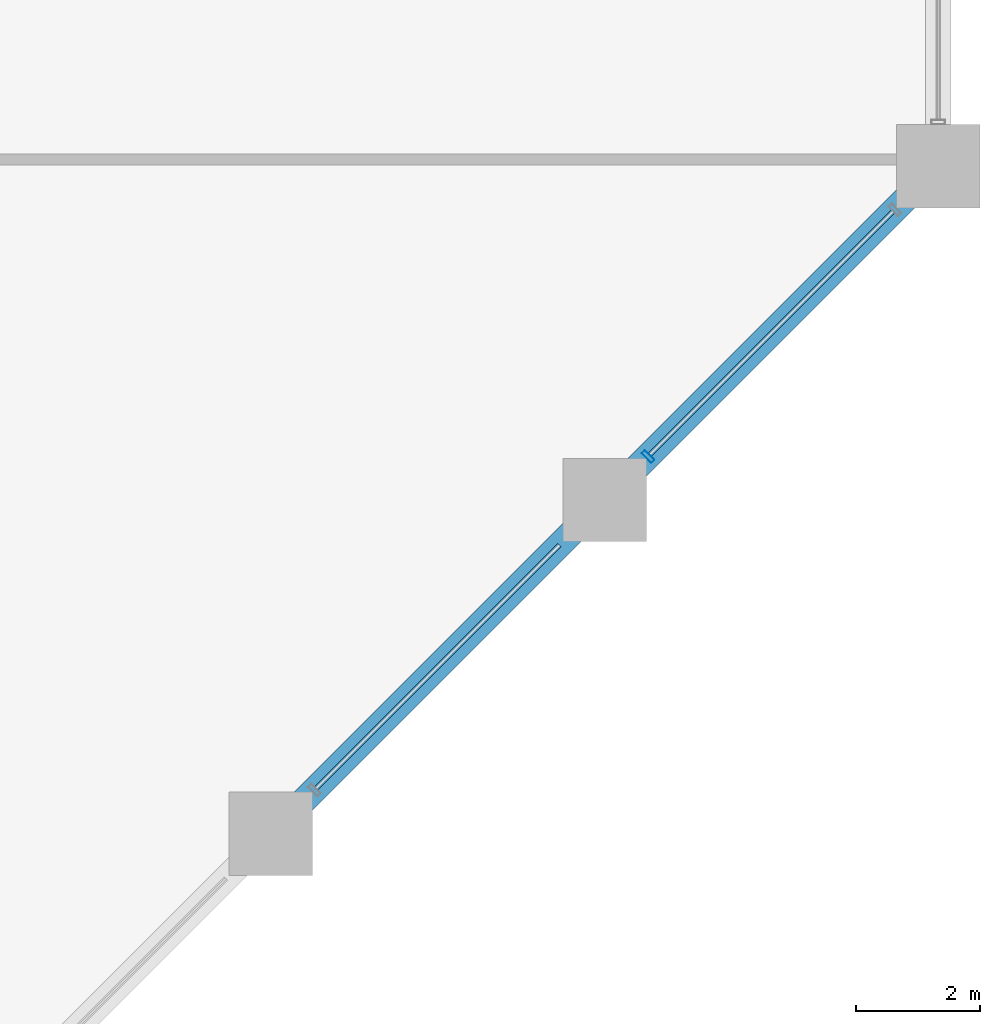
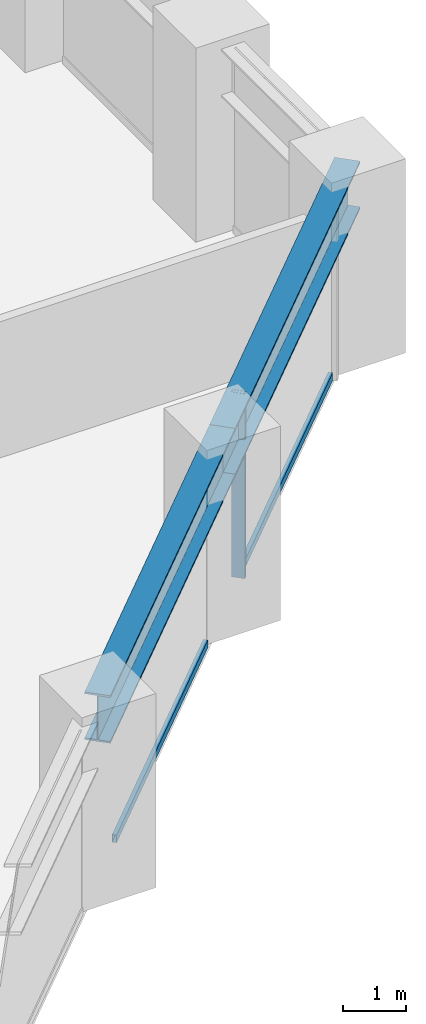
# One storey, part 9 of 25: 3 members, 2 beams, 1 element without a shape of its own.
"""IFC4 building model written with IfcOpenShell, lengths in metres."""

from ifc_helpers import new_model, si_unit, direction, frame, origin, origin_2d, place, context, subcontext, project, spatial, hollow_rectangle, i_section, extrude, material, layer, layer_set, material_profile, profile_set, type_object, element, aggregate, save


model = new_model("IFC4")

# Units and contexts
model_context = context("Model", 3, precision=1e-05, world=origin(), true_north=direction((0.0, 1.0)))
body_context = subcontext(model_context, "Body", "Model", "MODEL_VIEW")
ifc_project = project(units=[si_unit("LENGTHUNIT", "METRE"), si_unit("AREAUNIT", "SQUARE_METRE"), si_unit("VOLUMEUNIT", "CUBIC_METRE"), si_unit("PLANEANGLEUNIT", "RADIAN"), si_unit("MASSUNIT", "GRAM", prefix="KILO")], contexts=[model_context])

# Site, building, storey
site_placement = place(None, origin())
site = spatial("IfcSite", under=ifc_project, at=site_placement, CompositionType="ELEMENT")
building_placement = place(site_placement, origin())
building = spatial("IfcBuilding", under=site, at=building_placement, Name="Surkhivell Harbour Commons", CompositionType="ELEMENT")
storey_placement = place(building_placement, frame((0.0, 0.0, 52.5)))
storey = spatial("IfcBuildingStorey", under=building, at=storey_placement, Name="L13", CompositionType="ELEMENT", Elevation=52.5)

# Beams
ifc_material_1 = material(Name="Steel S460", Category="steel")
ifc_material_profile_1 = material_profile(ifc_material_1, i_section(OverallWidth=0.419921875, OverallDepth=0.9208984375, WebThickness=0.021484375, FlangeThickness=0.03662109375, at=origin_2d()), Name="UB914x419x388")
ifc_profile_set_1 = profile_set([ifc_material_profile_1], Name="Steel S460")
beam_type = type_object("IfcBeamType", Name="BM-SPN-914A", PredefinedType="SPANDREL", material=ifc_profile_set_1)
for number, where, z_axis, x_axis, name in (
    (1, (21.60009765625, -4.300048828125, 3.109619140625), (0.707090796496, 0.707122765516, 0.0), (-0.707122765516, 0.707090796496, 0.0), "L13 Tube Spandrel (21.6,-4.3)"),
    (2, (27.0, 1.10009765625, 3.109619140625), (0.707106781187, 0.707106781187, 0.0), (-0.707106781187, 0.707106781187, 0.0), "L13 Tube Spandrel (27.0,1.1)"),
):
    element("IfcBeam", number, at=place(storey_placement, frame(where, z_axis=z_axis, x_axis=x_axis)), inside=storey, type_object=beam_type, Name=name, PredefinedType="SPANDREL", context=body_context, shape_type="SweptSolid", body=[
        extrude(i_section(OverallWidth=0.419921875, OverallDepth=0.9208984375, WebThickness=0.021484375, FlangeThickness=0.03662109375, at=origin_2d()), origin(), (0.0, 0.0, 1.0), 7.63671875),
    ])

# Curtain wall, members
ifc_material_2 = material(Name="Anodised pale-metal aluminium and insulated glazing", Category="aluminium")
ifc_layer = layer(ifc_material_2, 0.219970703125)
ifc_layer_set = layer_set([ifc_layer], Name="Anodised pale-metal aluminium and insulated glazing")
curtain_wall_type = type_object("IfcCurtainWallType", Name="CW-SYS-Z1", PredefinedType="NOTDEFINED", material=ifc_layer_set)
curtain_wall_placement = place(storey_placement, origin())
curtain_wall = element("IfcCurtainWall", 3, at=curtain_wall_placement, inside=storey, type_object=curtain_wall_type, Name="L13 Curtain Wall CW-L13-E01", PredefinedType="NOTDEFINED")
ifc_material_3 = material(Name="Anodised pale-metal aluminium alloy 6063-T6", Category="aluminium")
ifc_material_profile_2 = material_profile(ifc_material_3, hollow_rectangle(XDim=0.074951171875, YDim=0.219970703125, WallThickness=0.00390625, at=origin_2d()), Name="ALU-MULL-75x220")
ifc_profile_set_2 = profile_set([ifc_material_profile_2], Name="Anodised pale-metal aluminium alloy 6063-T6")
member_type_1 = type_object("IfcMemberType", Name="CWM-220", PredefinedType="MULLION", material=ifc_profile_set_2)
member_1_placement = place(storey_placement, frame((27.703369140625, 1.80322265625, 0.0), z_axis=(0.0, 0.0, 1.0), x_axis=(0.707106781187, 0.707106781187, 0.0)))
member_1 = element("IfcMember", 4, at=member_1_placement, type_object=member_type_1, Name="CW-Z1 mullion 6", PredefinedType="MULLION", context=body_context, shape_type="SweptSolid", body=[
    extrude(hollow_rectangle(XDim=0.074951171875, YDim=0.219970703125, WallThickness=0.00390625, at=origin_2d()), origin(), (0.0, 0.0, 1.0), 3.570068359375),
])
ifc_material_profile_3 = material_profile(ifc_material_3, hollow_rectangle(XDim=0.074951171875, YDim=0.14990234375, WallThickness=0.00341796875, at=origin_2d()), Name="ALU-TRAN-75x150")
ifc_profile_set_3 = profile_set([ifc_material_profile_3], Name="Anodised pale-metal aluminium alloy 6063-T6")
member_type_2 = type_object("IfcMemberType", Name="CWT-150", PredefinedType="USERDEFINED", material=ifc_profile_set_3)
member_2_placement = place(storey_placement, frame((22.329833984375, -3.570068359375, 0.074951171875), z_axis=(0.70712868694, 0.707084874754, 0.0), x_axis=(-0.707084874754, 0.70712868694, 0.0)))
member_2 = element("IfcMember", 5, at=member_2_placement, type_object=member_type_2, Name="CW-Z1 transom 5.1", ObjectType="TRANSOM", PredefinedType="USERDEFINED", context=body_context, shape_type="SweptSolid", body=[
    extrude(hollow_rectangle(XDim=0.074951171875, YDim=0.14990234375, WallThickness=0.00341796875, at=origin_2d()), origin(), (0.0, 0.0, 1.0), 5.572509765625),
])
member_3_placement = place(storey_placement, frame((27.729736328125, 1.829833984375, 0.074951171875), z_axis=(0.707106781187, 0.707106781187, 0.0), x_axis=(-0.707106781187, 0.707106781187, 0.0)))
member_3 = element("IfcMember", 6, at=member_3_placement, type_object=member_type_2, Name="CW-Z1 transom 6.1", ObjectType="TRANSOM", PredefinedType="USERDEFINED", context=body_context, shape_type="SweptSolid", body=[
    extrude(hollow_rectangle(XDim=0.074951171875, YDim=0.14990234375, WallThickness=0.00341796875, at=origin_2d()), origin(), (0.0, 0.0, 1.0), 5.572509765625),
])
aggregate(curtain_wall, [member_2, member_1, member_3])

save(model, "model.ifc")
